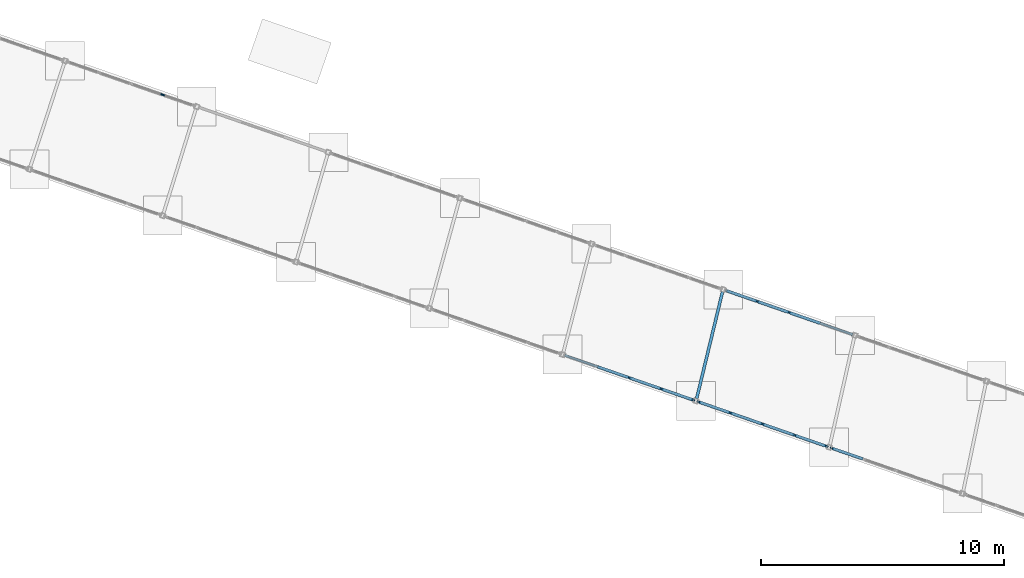
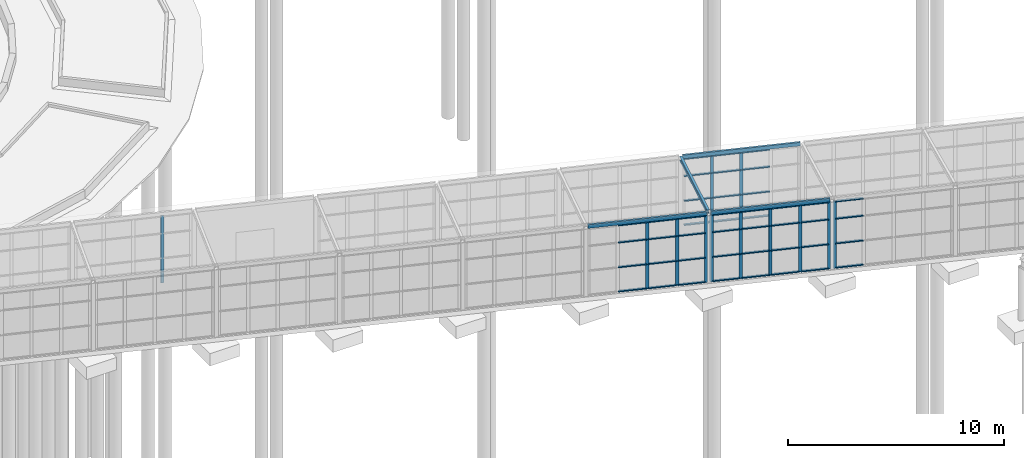
# One storey, part 55 of 226: 56 members, 4 beams, 5 elements without a shape of their own.
"""IFC4 building model written with IfcOpenShell, lengths in metres."""

from ifc_helpers import new_model, si_unit, direction, frame, origin, origin_2d, place, context, subcontext, project, spatial, rectangle, hollow_rectangle, i_section, extrude, material, material_profile, profile_set, type_object, element, aggregate, save


model = new_model("IFC4")

# Units and contexts
model_context = context("Model", 3, precision=1e-05, world=origin(), true_north=direction((0.0, 1.0)))
body_context = subcontext(model_context, "Body", "Model", "MODEL_VIEW")
ifc_project = project(units=[si_unit("LENGTHUNIT", "METRE"), si_unit("AREAUNIT", "SQUARE_METRE"), si_unit("VOLUMEUNIT", "CUBIC_METRE"), si_unit("PLANEANGLEUNIT", "RADIAN"), si_unit("MASSUNIT", "GRAM", prefix="KILO")], contexts=[model_context])

# Site, building, storey
site_placement = place(None, origin())
site = spatial("IfcSite", under=ifc_project, at=site_placement, CompositionType="ELEMENT")
building_placement = place(site_placement, origin())
building = spatial("IfcBuilding", under=site, at=building_placement, Name="Ceibo Conservatory and Research Tower", CompositionType="ELEMENT")
storey_placement = place(building_placement, origin())
storey = spatial("IfcBuildingStorey", under=building, at=storey_placement, Name="L00", CompositionType="ELEMENT", Elevation=0.0)

# Curtain wall, member
ifc_material_1 = material(Name="Aluminium and glass", Category="aluminium")
curtain_wall_type = type_object("IfcCurtainWallType", Name="Gallery curtain wall", PredefinedType="NOTDEFINED", material=ifc_material_1)
curtain_wall_1_placement = place(storey_placement, origin())
curtain_wall_1 = element("IfcCurtainWall", 1, at=curtain_wall_1_placement, inside=storey, type_object=curtain_wall_type, Name="Gallery curtain wall AUD-VC-CWN07", PredefinedType="NOTDEFINED")
ifc_material_2 = material(Name="Aluminium", Category="aluminium")
ifc_material_profile_1 = material_profile(ifc_material_2, rectangle(XDim=0.06005859375, YDim=0.159912109375, at=origin_2d()), Name="AL 60x160")
ifc_profile_set_1 = profile_set([ifc_material_profile_1], Name="Aluminium")
member_type_1 = type_object("IfcMemberType", Name="Gallery mullion 60x160", PredefinedType="MULLION", material=ifc_profile_set_1)
member_1_placement = place(storey_placement, frame((103.161376953125, 57.304931640625, 0.0), z_axis=(0.0, 0.0, 1.0), x_axis=(0.328283515513, 0.944579236191, 0.0)))
member_1 = element("IfcMember", 2, at=member_1_placement, type_object=member_type_1, Name="AUD-VC-CWN07 mullion 4", PredefinedType="MULLION", context=body_context, shape_type="SweptSolid", body=[
    extrude(rectangle(XDim=0.06005859375, YDim=0.159912109375, at=origin_2d()), origin(), (0.0, 0.0, 1.0), 3.800048828125),
])
aggregate(curtain_wall_1, [member_1])

# Curtain wall, members
curtain_wall_2_placement = place(storey_placement, origin())
curtain_wall_2 = element("IfcCurtainWall", 3, at=curtain_wall_2_placement, inside=storey, type_object=curtain_wall_type, Name="Gallery curtain wall AUD-VC-CWN12", PredefinedType="NOTDEFINED")
member_2_placement = place(storey_placement, frame((127.6484375, 48.79443359375, 0.0), z_axis=(0.0, 0.0, 1.0), x_axis=(0.328283515513, 0.944579236191, 0.0)))
member_2 = element("IfcMember", 4, at=member_2_placement, type_object=member_type_1, Name="AUD-VC-CWN12 mullion 2", PredefinedType="MULLION", context=body_context, shape_type="SweptSolid", body=[
    extrude(rectangle(XDim=0.06005859375, YDim=0.159912109375, at=origin_2d()), origin(), (0.0, 0.0, 1.0), 3.800048828125),
])
member_3_placement = place(storey_placement, frame((128.956298828125, 48.33984375, 0.0), z_axis=(0.0, 0.0, 1.0), x_axis=(0.328283515513, 0.944579236191, 0.0)))
member_3 = element("IfcMember", 5, at=member_3_placement, type_object=member_type_1, Name="AUD-VC-CWN12 mullion 3", PredefinedType="MULLION", context=body_context, shape_type="SweptSolid", body=[
    extrude(rectangle(XDim=0.06005859375, YDim=0.159912109375, at=origin_2d()), origin(), (0.0, 0.0, 1.0), 3.800048828125),
])

curtain_wall_3_placement = place(storey_placement, origin())
curtain_wall_3 = element("IfcCurtainWall", 6, at=curtain_wall_3_placement, inside=storey, type_object=curtain_wall_type, Name="Gallery curtain wall AUD-VC-CWS11", PredefinedType="NOTDEFINED")
member_4_placement = place(storey_placement, frame((122.373046875, 45.652099609375, 0.0), z_axis=(0.0, 0.0, 1.0), x_axis=(0.328283515513, 0.944579236191, 0.0)))
member_4 = element("IfcMember", 7, at=member_4_placement, type_object=member_type_1, Name="AUD-VC-CWS11 mullion 3", PredefinedType="MULLION", context=body_context, shape_type="SweptSolid", body=[
    extrude(rectangle(XDim=0.06005859375, YDim=0.159912109375, at=origin_2d()), origin(), (0.0, 0.0, 1.0), 3.800048828125),
])
member_5_placement = place(storey_placement, frame((123.697998046875, 45.191650390625, 0.0), z_axis=(0.0, 0.0, 1.0), x_axis=(0.328283515513, 0.944579236191, 0.0)))
member_5 = element("IfcMember", 8, at=member_5_placement, type_object=member_type_1, Name="AUD-VC-CWS11 mullion 4", PredefinedType="MULLION", context=body_context, shape_type="SweptSolid", body=[
    extrude(rectangle(XDim=0.06005859375, YDim=0.159912109375, at=origin_2d()), origin(), (0.0, 0.0, 1.0), 3.800048828125),
])
member_6_placement = place(storey_placement, frame((124.994384765625, 44.7412109375, 0.0), z_axis=(0.0, 0.0, 1.0), x_axis=(0.328283515513, 0.944579236191, 0.0)))
member_6 = element("IfcMember", 9, at=member_6_placement, type_object=member_type_1, Name="AUD-VC-CWS11 mullion 5", PredefinedType="MULLION", context=body_context, shape_type="SweptSolid", body=[
    extrude(rectangle(XDim=0.06005859375, YDim=0.159912109375, at=origin_2d()), origin(), (0.0, 0.0, 1.0), 3.800048828125),
])

curtain_wall_4_placement = place(storey_placement, origin())
curtain_wall_4 = element("IfcCurtainWall", 10, at=curtain_wall_4_placement, inside=storey, type_object=curtain_wall_type, Name="Gallery curtain wall AUD-VC-CWS12", PredefinedType="NOTDEFINED")
member_7_placement = place(storey_placement, frame((125.239990234375, 44.65576171875, 0.0), z_axis=(0.0, 0.0, 1.0), x_axis=(0.328283515513, 0.944579236191, 0.0)))
member_7 = element("IfcMember", 11, at=member_7_placement, type_object=member_type_1, Name="AUD-VC-CWS12 mullion 1", PredefinedType="MULLION", context=body_context, shape_type="SweptSolid", body=[
    extrude(rectangle(XDim=0.06005859375, YDim=0.159912109375, at=origin_2d()), origin(), (0.0, 0.0, 1.0), 3.800048828125),
])
member_8_placement = place(storey_placement, frame((126.53662109375, 44.205078125, 0.0), z_axis=(0.0, 0.0, 1.0), x_axis=(0.328283515513, 0.944579236191, 0.0)))
member_8 = element("IfcMember", 12, at=member_8_placement, type_object=member_type_1, Name="AUD-VC-CWS12 mullion 2", PredefinedType="MULLION", context=body_context, shape_type="SweptSolid", body=[
    extrude(rectangle(XDim=0.06005859375, YDim=0.159912109375, at=origin_2d()), origin(), (0.0, 0.0, 1.0), 3.800048828125),
])
member_9_placement = place(storey_placement, frame((127.861328125, 43.74462890625, 0.0), z_axis=(0.0, 0.0, 1.0), x_axis=(0.328283515513, 0.944579236191, 0.0)))
member_9 = element("IfcMember", 13, at=member_9_placement, type_object=member_type_1, Name="AUD-VC-CWS12 mullion 3", PredefinedType="MULLION", context=body_context, shape_type="SweptSolid", body=[
    extrude(rectangle(XDim=0.06005859375, YDim=0.159912109375, at=origin_2d()), origin(), (0.0, 0.0, 1.0), 3.800048828125),
])
member_10_placement = place(storey_placement, frame((129.186279296875, 43.2841796875, 0.0), z_axis=(0.0, 0.0, 1.0), x_axis=(0.328283515513, 0.944579236191, 0.0)))
member_10 = element("IfcMember", 14, at=member_10_placement, type_object=member_type_1, Name="AUD-VC-CWS12 mullion 4", PredefinedType="MULLION", context=body_context, shape_type="SweptSolid", body=[
    extrude(rectangle(XDim=0.06005859375, YDim=0.159912109375, at=origin_2d()), origin(), (0.0, 0.0, 1.0), 3.800048828125),
])
member_11_placement = place(storey_placement, frame((130.482666015625, 42.833740234375, 0.0), z_axis=(0.0, 0.0, 1.0), x_axis=(0.328283515513, 0.944579236191, 0.0)))
member_11 = element("IfcMember", 15, at=member_11_placement, type_object=member_type_1, Name="AUD-VC-CWS12 mullion 5", PredefinedType="MULLION", context=body_context, shape_type="SweptSolid", body=[
    extrude(rectangle(XDim=0.06005859375, YDim=0.159912109375, at=origin_2d()), origin(), (0.0, 0.0, 1.0), 3.800048828125),
])

# Curtain wall, member
curtain_wall_5_placement = place(storey_placement, origin())
curtain_wall_5 = element("IfcCurtainWall", 16, at=curtain_wall_5_placement, inside=storey, type_object=curtain_wall_type, Name="Gallery curtain wall AUD-VC-CWS13", PredefinedType="NOTDEFINED")
member_12_placement = place(storey_placement, frame((130.728271484375, 42.748291015625, 0.0), z_axis=(0.0, 0.0, 1.0), x_axis=(0.328283515513, 0.944579236191, 0.0)))
member_12 = element("IfcMember", 17, at=member_12_placement, type_object=member_type_1, Name="AUD-VC-CWS13 mullion 1", PredefinedType="MULLION", context=body_context, shape_type="SweptSolid", body=[
    extrude(rectangle(XDim=0.06005859375, YDim=0.159912109375, at=origin_2d()), origin(), (0.0, 0.0, 1.0), 3.800048828125),
])

# Member
ifc_material_profile_2 = material_profile(ifc_material_2, rectangle(XDim=0.1201171875, YDim=0.06005859375, at=origin_2d()), Name="AL 60x120")
ifc_profile_set_2 = profile_set([ifc_material_profile_2], Name="Aluminium")
member_type_2 = type_object("IfcMemberType", Name="Gallery transom 60x120", PredefinedType="USERDEFINED", material=ifc_profile_set_2)
member_13_placement = place(storey_placement, frame((126.397216796875, 49.229248046875, 0.030029296875), z_axis=(0.944629016784, -0.328140245399, 0.0), x_axis=(0.328140245399, 0.944629016784, 0.0)))
member_13 = element("IfcMember", 18, at=member_13_placement, type_object=member_type_2, Name="AUD-VC-CWN12 transom 1.1", ObjectType="TRANSOM", PredefinedType="USERDEFINED", context=body_context, shape_type="SweptSolid", body=[
    extrude(rectangle(XDim=0.1201171875, YDim=0.06005859375, at=origin_2d()), origin(), (0.0, 0.0, 1.0), 1.294677734375),
])

member_14_placement = place(storey_placement, frame((126.397216796875, 49.229248046875, 1.39990234375), z_axis=(0.944629016784, -0.328140245399, 0.0), x_axis=(0.328140245399, 0.944629016784, 0.0)))
member_14 = element("IfcMember", 19, at=member_14_placement, type_object=member_type_2, Name="AUD-VC-CWN12 transom 1.2", ObjectType="TRANSOM", PredefinedType="USERDEFINED", context=body_context, shape_type="SweptSolid", body=[
    extrude(rectangle(XDim=0.1201171875, YDim=0.06005859375, at=origin_2d()), origin(), (0.0, 0.0, 1.0), 1.294677734375),
])

member_15_placement = place(storey_placement, frame((126.397216796875, 49.229248046875, 2.800048828125), z_axis=(0.944629016784, -0.328140245399, 0.0), x_axis=(0.328140245399, 0.944629016784, 0.0)))
member_15 = element("IfcMember", 20, at=member_15_placement, type_object=member_type_2, Name="AUD-VC-CWN12 transom 1.3", ObjectType="TRANSOM", PredefinedType="USERDEFINED", context=body_context, shape_type="SweptSolid", body=[
    extrude(rectangle(XDim=0.1201171875, YDim=0.06005859375, at=origin_2d()), origin(), (0.0, 0.0, 1.0), 1.294677734375),
])

member_16_placement = place(storey_placement, frame((126.397216796875, 49.229248046875, 3.77001953125), z_axis=(0.944629016784, -0.328140245399, 0.0), x_axis=(0.328140245399, 0.944629016784, 0.0)))
member_16 = element("IfcMember", 21, at=member_16_placement, type_object=member_type_2, Name="AUD-VC-CWN12 transom 1.4", ObjectType="TRANSOM", PredefinedType="USERDEFINED", context=body_context, shape_type="SweptSolid", body=[
    extrude(rectangle(XDim=0.1201171875, YDim=0.06005859375, at=origin_2d()), origin(), (0.0, 0.0, 1.0), 1.294677734375),
])

member_17_placement = place(storey_placement, frame((127.6767578125, 48.78466796875, 0.030029296875), z_axis=(0.944588759267, -0.32825611322, 0.0), x_axis=(0.32825611322, 0.944588759267, 0.0)))
member_17 = element("IfcMember", 22, at=member_17_placement, type_object=member_type_2, Name="AUD-VC-CWN12 transom 2.1", ObjectType="TRANSOM", PredefinedType="USERDEFINED", context=body_context, shape_type="SweptSolid", body=[
    extrude(rectangle(XDim=0.1201171875, YDim=0.06005859375, at=origin_2d()), origin(), (0.0, 0.0, 1.0), 1.32470703125),
])

member_18_placement = place(storey_placement, frame((127.6767578125, 48.78466796875, 1.39990234375), z_axis=(0.944588759267, -0.32825611322, 0.0), x_axis=(0.32825611322, 0.944588759267, 0.0)))
member_18 = element("IfcMember", 23, at=member_18_placement, type_object=member_type_2, Name="AUD-VC-CWN12 transom 2.2", ObjectType="TRANSOM", PredefinedType="USERDEFINED", context=body_context, shape_type="SweptSolid", body=[
    extrude(rectangle(XDim=0.1201171875, YDim=0.06005859375, at=origin_2d()), origin(), (0.0, 0.0, 1.0), 1.32470703125),
])

member_19_placement = place(storey_placement, frame((127.6767578125, 48.78466796875, 2.800048828125), z_axis=(0.944588759267, -0.32825611322, 0.0), x_axis=(0.32825611322, 0.944588759267, 0.0)))
member_19 = element("IfcMember", 24, at=member_19_placement, type_object=member_type_2, Name="AUD-VC-CWN12 transom 2.3", ObjectType="TRANSOM", PredefinedType="USERDEFINED", context=body_context, shape_type="SweptSolid", body=[
    extrude(rectangle(XDim=0.1201171875, YDim=0.06005859375, at=origin_2d()), origin(), (0.0, 0.0, 1.0), 1.32470703125),
])

member_20_placement = place(storey_placement, frame((127.6767578125, 48.78466796875, 3.77001953125), z_axis=(0.944588759267, -0.32825611322, 0.0), x_axis=(0.32825611322, 0.944588759267, 0.0)))
member_20 = element("IfcMember", 25, at=member_20_placement, type_object=member_type_2, Name="AUD-VC-CWN12 transom 2.4", ObjectType="TRANSOM", PredefinedType="USERDEFINED", context=body_context, shape_type="SweptSolid", body=[
    extrude(rectangle(XDim=0.1201171875, YDim=0.06005859375, at=origin_2d()), origin(), (0.0, 0.0, 1.0), 1.32470703125),
])

member_21_placement = place(storey_placement, frame((128.984619140625, 48.330078125, 0.030029296875), z_axis=(0.944588759267, -0.32825611322, 0.0), x_axis=(0.32825611322, 0.944588759267, 0.0)))
member_21 = element("IfcMember", 26, at=member_21_placement, type_object=member_type_2, Name="AUD-VC-CWN12 transom 3.1", ObjectType="TRANSOM", PredefinedType="USERDEFINED", context=body_context, shape_type="SweptSolid", body=[
    extrude(rectangle(XDim=0.1201171875, YDim=0.06005859375, at=origin_2d()), origin(), (0.0, 0.0, 1.0), 1.32470703125),
])

member_22_placement = place(storey_placement, frame((128.984619140625, 48.330078125, 1.39990234375), z_axis=(0.944588759267, -0.32825611322, 0.0), x_axis=(0.32825611322, 0.944588759267, 0.0)))
member_22 = element("IfcMember", 27, at=member_22_placement, type_object=member_type_2, Name="AUD-VC-CWN12 transom 3.2", ObjectType="TRANSOM", PredefinedType="USERDEFINED", context=body_context, shape_type="SweptSolid", body=[
    extrude(rectangle(XDim=0.1201171875, YDim=0.06005859375, at=origin_2d()), origin(), (0.0, 0.0, 1.0), 1.32470703125),
])

member_23_placement = place(storey_placement, frame((128.984619140625, 48.330078125, 2.800048828125), z_axis=(0.944588759267, -0.32825611322, 0.0), x_axis=(0.32825611322, 0.944588759267, 0.0)))
member_23 = element("IfcMember", 28, at=member_23_placement, type_object=member_type_2, Name="AUD-VC-CWN12 transom 3.3", ObjectType="TRANSOM", PredefinedType="USERDEFINED", context=body_context, shape_type="SweptSolid", body=[
    extrude(rectangle(XDim=0.1201171875, YDim=0.06005859375, at=origin_2d()), origin(), (0.0, 0.0, 1.0), 1.32470703125),
])

member_24_placement = place(storey_placement, frame((128.984619140625, 48.330078125, 3.77001953125), z_axis=(0.944588759267, -0.32825611322, 0.0), x_axis=(0.32825611322, 0.944588759267, 0.0)))
member_24 = element("IfcMember", 29, at=member_24_placement, type_object=member_type_2, Name="AUD-VC-CWN12 transom 3.4", ObjectType="TRANSOM", PredefinedType="USERDEFINED", context=body_context, shape_type="SweptSolid", body=[
    extrude(rectangle(XDim=0.1201171875, YDim=0.06005859375, at=origin_2d()), origin(), (0.0, 0.0, 1.0), 1.32470703125),
])

aggregate(curtain_wall_2, [member_2, member_3, member_13, member_14, member_15, member_16, member_17, member_18, member_19, member_20, member_21, member_22, member_23, member_24])

member_25_placement = place(storey_placement, frame((121.07666015625, 46.102783203125, 0.030029296875), z_axis=(0.944587537953, -0.328259627648, 0.0), x_axis=(0.328259627648, 0.944587537953, 0.0)))
member_25 = element("IfcMember", 30, at=member_25_placement, type_object=member_type_2, Name="AUD-VC-CWS11 transom 2.1", ObjectType="TRANSOM", PredefinedType="USERDEFINED", context=body_context, shape_type="SweptSolid", body=[
    extrude(rectangle(XDim=0.1201171875, YDim=0.06005859375, at=origin_2d()), origin(), (0.0, 0.0, 1.0), 1.342529296875),
])

member_26_placement = place(storey_placement, frame((121.07666015625, 46.102783203125, 1.39990234375), z_axis=(0.944587537953, -0.328259627648, 0.0), x_axis=(0.328259627648, 0.944587537953, 0.0)))
member_26 = element("IfcMember", 31, at=member_26_placement, type_object=member_type_2, Name="AUD-VC-CWS11 transom 2.2", ObjectType="TRANSOM", PredefinedType="USERDEFINED", context=body_context, shape_type="SweptSolid", body=[
    extrude(rectangle(XDim=0.1201171875, YDim=0.06005859375, at=origin_2d()), origin(), (0.0, 0.0, 1.0), 1.342529296875),
])

member_27_placement = place(storey_placement, frame((121.07666015625, 46.102783203125, 2.800048828125), z_axis=(0.944587537953, -0.328259627648, 0.0), x_axis=(0.328259627648, 0.944587537953, 0.0)))
member_27 = element("IfcMember", 32, at=member_27_placement, type_object=member_type_2, Name="AUD-VC-CWS11 transom 2.3", ObjectType="TRANSOM", PredefinedType="USERDEFINED", context=body_context, shape_type="SweptSolid", body=[
    extrude(rectangle(XDim=0.1201171875, YDim=0.06005859375, at=origin_2d()), origin(), (0.0, 0.0, 1.0), 1.342529296875),
])

member_28_placement = place(storey_placement, frame((121.07666015625, 46.102783203125, 3.77001953125), z_axis=(0.944587537953, -0.328259627648, 0.0), x_axis=(0.328259627648, 0.944587537953, 0.0)))
member_28 = element("IfcMember", 33, at=member_28_placement, type_object=member_type_2, Name="AUD-VC-CWS11 transom 2.4", ObjectType="TRANSOM", PredefinedType="USERDEFINED", context=body_context, shape_type="SweptSolid", body=[
    extrude(rectangle(XDim=0.1201171875, YDim=0.06005859375, at=origin_2d()), origin(), (0.0, 0.0, 1.0), 1.342529296875),
])

member_29_placement = place(storey_placement, frame((122.4013671875, 45.642333984375, 0.030029296875), z_axis=(0.944607129256, -0.328203247027, 0.0), x_axis=(0.328203247027, 0.944607129256, 0.0)))
member_29 = element("IfcMember", 34, at=member_29_placement, type_object=member_type_2, Name="AUD-VC-CWS11 transom 3.1", ObjectType="TRANSOM", PredefinedType="USERDEFINED", context=body_context, shape_type="SweptSolid", body=[
    extrude(rectangle(XDim=0.1201171875, YDim=0.06005859375, at=origin_2d()), origin(), (0.0, 0.0, 1.0), 1.3427734375),
])

member_30_placement = place(storey_placement, frame((122.4013671875, 45.642333984375, 1.39990234375), z_axis=(0.944607129256, -0.328203247027, 0.0), x_axis=(0.328203247027, 0.944607129256, 0.0)))
member_30 = element("IfcMember", 35, at=member_30_placement, type_object=member_type_2, Name="AUD-VC-CWS11 transom 3.2", ObjectType="TRANSOM", PredefinedType="USERDEFINED", context=body_context, shape_type="SweptSolid", body=[
    extrude(rectangle(XDim=0.1201171875, YDim=0.06005859375, at=origin_2d()), origin(), (0.0, 0.0, 1.0), 1.3427734375),
])

member_31_placement = place(storey_placement, frame((122.4013671875, 45.642333984375, 2.800048828125), z_axis=(0.944607129256, -0.328203247027, 0.0), x_axis=(0.328203247027, 0.944607129256, 0.0)))
member_31 = element("IfcMember", 36, at=member_31_placement, type_object=member_type_2, Name="AUD-VC-CWS11 transom 3.3", ObjectType="TRANSOM", PredefinedType="USERDEFINED", context=body_context, shape_type="SweptSolid", body=[
    extrude(rectangle(XDim=0.1201171875, YDim=0.06005859375, at=origin_2d()), origin(), (0.0, 0.0, 1.0), 1.3427734375),
])

member_32_placement = place(storey_placement, frame((122.4013671875, 45.642333984375, 3.77001953125), z_axis=(0.944607129256, -0.328203247027, 0.0), x_axis=(0.328203247027, 0.944607129256, 0.0)))
member_32 = element("IfcMember", 37, at=member_32_placement, type_object=member_type_2, Name="AUD-VC-CWS11 transom 3.4", ObjectType="TRANSOM", PredefinedType="USERDEFINED", context=body_context, shape_type="SweptSolid", body=[
    extrude(rectangle(XDim=0.1201171875, YDim=0.06005859375, at=origin_2d()), origin(), (0.0, 0.0, 1.0), 1.3427734375),
])

member_33_placement = place(storey_placement, frame((123.726318359375, 45.181884765625, 0.030029296875), z_axis=(0.944569547246, -0.328311392455, 0.0), x_axis=(0.328311392455, 0.944569547246, 0.0)))
member_33 = element("IfcMember", 38, at=member_33_placement, type_object=member_type_2, Name="AUD-VC-CWS11 transom 4.1", ObjectType="TRANSOM", PredefinedType="USERDEFINED", context=body_context, shape_type="SweptSolid", body=[
    extrude(rectangle(XDim=0.1201171875, YDim=0.06005859375, at=origin_2d()), origin(), (0.0, 0.0, 1.0), 1.3125),
])

member_34_placement = place(storey_placement, frame((123.726318359375, 45.181884765625, 1.39990234375), z_axis=(0.944569547246, -0.328311392455, 0.0), x_axis=(0.328311392455, 0.944569547246, 0.0)))
member_34 = element("IfcMember", 39, at=member_34_placement, type_object=member_type_2, Name="AUD-VC-CWS11 transom 4.2", ObjectType="TRANSOM", PredefinedType="USERDEFINED", context=body_context, shape_type="SweptSolid", body=[
    extrude(rectangle(XDim=0.1201171875, YDim=0.06005859375, at=origin_2d()), origin(), (0.0, 0.0, 1.0), 1.3125),
])

member_35_placement = place(storey_placement, frame((123.726318359375, 45.181884765625, 2.800048828125), z_axis=(0.944569547246, -0.328311392455, 0.0), x_axis=(0.328311392455, 0.944569547246, 0.0)))
member_35 = element("IfcMember", 40, at=member_35_placement, type_object=member_type_2, Name="AUD-VC-CWS11 transom 4.3", ObjectType="TRANSOM", PredefinedType="USERDEFINED", context=body_context, shape_type="SweptSolid", body=[
    extrude(rectangle(XDim=0.1201171875, YDim=0.06005859375, at=origin_2d()), origin(), (0.0, 0.0, 1.0), 1.3125),
])

member_36_placement = place(storey_placement, frame((123.726318359375, 45.181884765625, 3.77001953125), z_axis=(0.944569547246, -0.328311392455, 0.0), x_axis=(0.328311392455, 0.944569547246, 0.0)))
member_36 = element("IfcMember", 41, at=member_36_placement, type_object=member_type_2, Name="AUD-VC-CWS11 transom 4.4", ObjectType="TRANSOM", PredefinedType="USERDEFINED", context=body_context, shape_type="SweptSolid", body=[
    extrude(rectangle(XDim=0.1201171875, YDim=0.06005859375, at=origin_2d()), origin(), (0.0, 0.0, 1.0), 1.3125),
])

aggregate(curtain_wall_3, [member_4, member_5, member_6, member_25, member_26, member_27, member_28, member_29, member_30, member_31, member_32, member_33, member_34, member_35, member_36])

member_37_placement = place(storey_placement, frame((125.268310546875, 44.64599609375, 0.030029296875), z_axis=(0.944589591906, -0.328253717211, 0.0), x_axis=(0.328253717211, 0.944589591906, 0.0)))
member_37 = element("IfcMember", 42, at=member_37_placement, type_object=member_type_2, Name="AUD-VC-CWS12 transom 1.1", ObjectType="TRANSOM", PredefinedType="USERDEFINED", context=body_context, shape_type="SweptSolid", body=[
    extrude(rectangle(XDim=0.1201171875, YDim=0.06005859375, at=origin_2d()), origin(), (0.0, 0.0, 1.0), 1.312744140625),
])

member_38_placement = place(storey_placement, frame((125.268310546875, 44.64599609375, 1.39990234375), z_axis=(0.944589591906, -0.328253717211, 0.0), x_axis=(0.328253717211, 0.944589591906, 0.0)))
member_38 = element("IfcMember", 43, at=member_38_placement, type_object=member_type_2, Name="AUD-VC-CWS12 transom 1.2", ObjectType="TRANSOM", PredefinedType="USERDEFINED", context=body_context, shape_type="SweptSolid", body=[
    extrude(rectangle(XDim=0.1201171875, YDim=0.06005859375, at=origin_2d()), origin(), (0.0, 0.0, 1.0), 1.312744140625),
])

member_39_placement = place(storey_placement, frame((125.268310546875, 44.64599609375, 2.800048828125), z_axis=(0.944589591906, -0.328253717211, 0.0), x_axis=(0.328253717211, 0.944589591906, 0.0)))
member_39 = element("IfcMember", 44, at=member_39_placement, type_object=member_type_2, Name="AUD-VC-CWS12 transom 1.3", ObjectType="TRANSOM", PredefinedType="USERDEFINED", context=body_context, shape_type="SweptSolid", body=[
    extrude(rectangle(XDim=0.1201171875, YDim=0.06005859375, at=origin_2d()), origin(), (0.0, 0.0, 1.0), 1.312744140625),
])

member_40_placement = place(storey_placement, frame((125.268310546875, 44.64599609375, 3.77001953125), z_axis=(0.944589591906, -0.328253717211, 0.0), x_axis=(0.328253717211, 0.944589591906, 0.0)))
member_40 = element("IfcMember", 45, at=member_40_placement, type_object=member_type_2, Name="AUD-VC-CWS12 transom 1.4", ObjectType="TRANSOM", PredefinedType="USERDEFINED", context=body_context, shape_type="SweptSolid", body=[
    extrude(rectangle(XDim=0.1201171875, YDim=0.06005859375, at=origin_2d()), origin(), (0.0, 0.0, 1.0), 1.312744140625),
])

member_41_placement = place(storey_placement, frame((126.56494140625, 44.1953125, 0.030029296875), z_axis=(0.944587537953, -0.328259627648, 0.0), x_axis=(0.328259627648, 0.944587537953, 0.0)))
member_41 = element("IfcMember", 46, at=member_41_placement, type_object=member_type_2, Name="AUD-VC-CWS12 transom 2.1", ObjectType="TRANSOM", PredefinedType="USERDEFINED", context=body_context, shape_type="SweptSolid", body=[
    extrude(rectangle(XDim=0.1201171875, YDim=0.06005859375, at=origin_2d()), origin(), (0.0, 0.0, 1.0), 1.342529296875),
])

member_42_placement = place(storey_placement, frame((126.56494140625, 44.1953125, 1.39990234375), z_axis=(0.944587537953, -0.328259627648, 0.0), x_axis=(0.328259627648, 0.944587537953, 0.0)))
member_42 = element("IfcMember", 47, at=member_42_placement, type_object=member_type_2, Name="AUD-VC-CWS12 transom 2.2", ObjectType="TRANSOM", PredefinedType="USERDEFINED", context=body_context, shape_type="SweptSolid", body=[
    extrude(rectangle(XDim=0.1201171875, YDim=0.06005859375, at=origin_2d()), origin(), (0.0, 0.0, 1.0), 1.342529296875),
])

member_43_placement = place(storey_placement, frame((126.56494140625, 44.1953125, 2.800048828125), z_axis=(0.944587537953, -0.328259627648, 0.0), x_axis=(0.328259627648, 0.944587537953, 0.0)))
member_43 = element("IfcMember", 48, at=member_43_placement, type_object=member_type_2, Name="AUD-VC-CWS12 transom 2.3", ObjectType="TRANSOM", PredefinedType="USERDEFINED", context=body_context, shape_type="SweptSolid", body=[
    extrude(rectangle(XDim=0.1201171875, YDim=0.06005859375, at=origin_2d()), origin(), (0.0, 0.0, 1.0), 1.342529296875),
])

member_44_placement = place(storey_placement, frame((126.56494140625, 44.1953125, 3.77001953125), z_axis=(0.944587537953, -0.328259627648, 0.0), x_axis=(0.328259627648, 0.944587537953, 0.0)))
member_44 = element("IfcMember", 49, at=member_44_placement, type_object=member_type_2, Name="AUD-VC-CWS12 transom 2.4", ObjectType="TRANSOM", PredefinedType="USERDEFINED", context=body_context, shape_type="SweptSolid", body=[
    extrude(rectangle(XDim=0.1201171875, YDim=0.06005859375, at=origin_2d()), origin(), (0.0, 0.0, 1.0), 1.342529296875),
])

member_45_placement = place(storey_placement, frame((127.8896484375, 43.73486328125, 0.030029296875), z_axis=(0.944607129256, -0.328203247027, 0.0), x_axis=(0.328203247027, 0.944607129256, 0.0)))
member_45 = element("IfcMember", 50, at=member_45_placement, type_object=member_type_2, Name="AUD-VC-CWS12 transom 3.1", ObjectType="TRANSOM", PredefinedType="USERDEFINED", context=body_context, shape_type="SweptSolid", body=[
    extrude(rectangle(XDim=0.1201171875, YDim=0.06005859375, at=origin_2d()), origin(), (0.0, 0.0, 1.0), 1.3427734375),
])

member_46_placement = place(storey_placement, frame((127.8896484375, 43.73486328125, 1.39990234375), z_axis=(0.944607129256, -0.328203247027, 0.0), x_axis=(0.328203247027, 0.944607129256, 0.0)))
member_46 = element("IfcMember", 51, at=member_46_placement, type_object=member_type_2, Name="AUD-VC-CWS12 transom 3.2", ObjectType="TRANSOM", PredefinedType="USERDEFINED", context=body_context, shape_type="SweptSolid", body=[
    extrude(rectangle(XDim=0.1201171875, YDim=0.06005859375, at=origin_2d()), origin(), (0.0, 0.0, 1.0), 1.3427734375),
])

member_47_placement = place(storey_placement, frame((127.8896484375, 43.73486328125, 2.800048828125), z_axis=(0.944607129256, -0.328203247027, 0.0), x_axis=(0.328203247027, 0.944607129256, 0.0)))
member_47 = element("IfcMember", 52, at=member_47_placement, type_object=member_type_2, Name="AUD-VC-CWS12 transom 3.3", ObjectType="TRANSOM", PredefinedType="USERDEFINED", context=body_context, shape_type="SweptSolid", body=[
    extrude(rectangle(XDim=0.1201171875, YDim=0.06005859375, at=origin_2d()), origin(), (0.0, 0.0, 1.0), 1.3427734375),
])

member_48_placement = place(storey_placement, frame((127.8896484375, 43.73486328125, 3.77001953125), z_axis=(0.944607129256, -0.328203247027, 0.0), x_axis=(0.328203247027, 0.944607129256, 0.0)))
member_48 = element("IfcMember", 53, at=member_48_placement, type_object=member_type_2, Name="AUD-VC-CWS12 transom 3.4", ObjectType="TRANSOM", PredefinedType="USERDEFINED", context=body_context, shape_type="SweptSolid", body=[
    extrude(rectangle(XDim=0.1201171875, YDim=0.06005859375, at=origin_2d()), origin(), (0.0, 0.0, 1.0), 1.3427734375),
])

member_49_placement = place(storey_placement, frame((129.214599609375, 43.2744140625, 0.030029296875), z_axis=(0.944569547246, -0.328311392455, 0.0), x_axis=(0.328311392455, 0.944569547246, 0.0)))
member_49 = element("IfcMember", 54, at=member_49_placement, type_object=member_type_2, Name="AUD-VC-CWS12 transom 4.1", ObjectType="TRANSOM", PredefinedType="USERDEFINED", context=body_context, shape_type="SweptSolid", body=[
    extrude(rectangle(XDim=0.1201171875, YDim=0.06005859375, at=origin_2d()), origin(), (0.0, 0.0, 1.0), 1.3125),
])

member_50_placement = place(storey_placement, frame((129.214599609375, 43.2744140625, 1.39990234375), z_axis=(0.944569547246, -0.328311392455, 0.0), x_axis=(0.328311392455, 0.944569547246, 0.0)))
member_50 = element("IfcMember", 55, at=member_50_placement, type_object=member_type_2, Name="AUD-VC-CWS12 transom 4.2", ObjectType="TRANSOM", PredefinedType="USERDEFINED", context=body_context, shape_type="SweptSolid", body=[
    extrude(rectangle(XDim=0.1201171875, YDim=0.06005859375, at=origin_2d()), origin(), (0.0, 0.0, 1.0), 1.3125),
])

member_51_placement = place(storey_placement, frame((129.214599609375, 43.2744140625, 2.800048828125), z_axis=(0.944569547246, -0.328311392455, 0.0), x_axis=(0.328311392455, 0.944569547246, 0.0)))
member_51 = element("IfcMember", 56, at=member_51_placement, type_object=member_type_2, Name="AUD-VC-CWS12 transom 4.3", ObjectType="TRANSOM", PredefinedType="USERDEFINED", context=body_context, shape_type="SweptSolid", body=[
    extrude(rectangle(XDim=0.1201171875, YDim=0.06005859375, at=origin_2d()), origin(), (0.0, 0.0, 1.0), 1.3125),
])

member_52_placement = place(storey_placement, frame((129.214599609375, 43.2744140625, 3.77001953125), z_axis=(0.944569547246, -0.328311392455, 0.0), x_axis=(0.328311392455, 0.944569547246, 0.0)))
member_52 = element("IfcMember", 57, at=member_52_placement, type_object=member_type_2, Name="AUD-VC-CWS12 transom 4.4", ObjectType="TRANSOM", PredefinedType="USERDEFINED", context=body_context, shape_type="SweptSolid", body=[
    extrude(rectangle(XDim=0.1201171875, YDim=0.06005859375, at=origin_2d()), origin(), (0.0, 0.0, 1.0), 1.3125),
])

aggregate(curtain_wall_4, [member_7, member_8, member_9, member_10, member_11, member_37, member_38, member_39, member_40, member_41, member_42, member_43, member_44, member_45, member_46, member_47, member_48, member_49, member_50, member_51, member_52])

member_53_placement = place(storey_placement, frame((130.756591796875, 42.738525390625, 0.030029296875), z_axis=(0.944589591906, -0.328253717211, 0.0), x_axis=(0.328253717211, 0.944589591906, 0.0)))
member_53 = element("IfcMember", 58, at=member_53_placement, type_object=member_type_2, Name="AUD-VC-CWS13 transom 1.1", ObjectType="TRANSOM", PredefinedType="USERDEFINED", context=body_context, shape_type="SweptSolid", body=[
    extrude(rectangle(XDim=0.1201171875, YDim=0.06005859375, at=origin_2d()), origin(), (0.0, 0.0, 1.0), 1.312744140625),
])

member_54_placement = place(storey_placement, frame((130.756591796875, 42.738525390625, 1.39990234375), z_axis=(0.944589591906, -0.328253717211, 0.0), x_axis=(0.328253717211, 0.944589591906, 0.0)))
member_54 = element("IfcMember", 59, at=member_54_placement, type_object=member_type_2, Name="AUD-VC-CWS13 transom 1.2", ObjectType="TRANSOM", PredefinedType="USERDEFINED", context=body_context, shape_type="SweptSolid", body=[
    extrude(rectangle(XDim=0.1201171875, YDim=0.06005859375, at=origin_2d()), origin(), (0.0, 0.0, 1.0), 1.312744140625),
])

member_55_placement = place(storey_placement, frame((130.756591796875, 42.738525390625, 2.800048828125), z_axis=(0.944589591906, -0.328253717211, 0.0), x_axis=(0.328253717211, 0.944589591906, 0.0)))
member_55 = element("IfcMember", 60, at=member_55_placement, type_object=member_type_2, Name="AUD-VC-CWS13 transom 1.3", ObjectType="TRANSOM", PredefinedType="USERDEFINED", context=body_context, shape_type="SweptSolid", body=[
    extrude(rectangle(XDim=0.1201171875, YDim=0.06005859375, at=origin_2d()), origin(), (0.0, 0.0, 1.0), 1.312744140625),
])

member_56_placement = place(storey_placement, frame((130.756591796875, 42.738525390625, 3.77001953125), z_axis=(0.944589591906, -0.328253717211, 0.0), x_axis=(0.328253717211, 0.944589591906, 0.0)))
member_56 = element("IfcMember", 61, at=member_56_placement, type_object=member_type_2, Name="AUD-VC-CWS13 transom 1.4", ObjectType="TRANSOM", PredefinedType="USERDEFINED", context=body_context, shape_type="SweptSolid", body=[
    extrude(rectangle(XDim=0.1201171875, YDim=0.06005859375, at=origin_2d()), origin(), (0.0, 0.0, 1.0), 1.312744140625),
])

aggregate(curtain_wall_5, [member_12, member_53, member_54, member_55, member_56])

# Beams
ifc_material_3 = material(Name="Steel S355J2", Category="steel")
ifc_material_profile_3 = material_profile(ifc_material_3, i_section(OverallWidth=0.1201171875, OverallDepth=0.239990234375, WebThickness=0.006103515625, FlangeThickness=0.009765625, at=origin_2d()), Name="IPE 240")
ifc_profile_set_3 = profile_set([ifc_material_profile_3], Name="Steel S355J2")
beam_type_1 = type_object("IfcBeamType", Name="IPE 240 roof beam", PredefinedType="BEAM", material=ifc_profile_set_3)
beam_1_placement = place(storey_placement, frame((126.21484375, 49.192138671875, 3.8798828125), z_axis=(-0.235340952222, -0.971912874803, 0.0), x_axis=(0.971912874803, -0.235340952222, 0.0)))
element("IfcBeam", 62, at=beam_1_placement, inside=storey, type_object=beam_type_1, Name="Gallery roof beam AUD-VC-RB11", PredefinedType="BEAM", context=body_context, shape_type="SweptSolid", body=[
    extrude(i_section(OverallWidth=0.1201171875, OverallDepth=0.239990234375, WebThickness=0.006103515625, FlangeThickness=0.009765625, at=origin_2d()), origin(), (0.0, 0.0, 1.0), 4.53125),
])
ifc_material_4 = material(Name="Steel S355J2H", Category="steel")
ifc_material_profile_4 = material_profile(ifc_material_4, hollow_rectangle(XDim=0.10009765625, YDim=0.199951171875, WallThickness=0.008056640625, at=origin_2d()), Name="RHS 200x100x8 edge beam")
ifc_profile_set_4 = profile_set([ifc_material_profile_4], Name="Steel S355J2H")
beam_type_2 = type_object("IfcBeamType", Name="RHS 200x100x8 edge beam", PredefinedType="BEAM", material=ifc_profile_set_4)
beam_2_placement = place(storey_placement, frame((126.335693359375, 49.250732421875, 3.89990234375), z_axis=(0.944580461491, -0.328279989901, 0.0), x_axis=(0.328279989901, 0.944580461491, 0.0)))
element("IfcBeam", 63, at=beam_2_placement, inside=storey, type_object=beam_type_2, Name="Gallery edge beam AUD-VC-EBN12", PredefinedType="BEAM", context=body_context, shape_type="SweptSolid", body=[
    extrude(hollow_rectangle(XDim=0.10009765625, YDim=0.199951171875, WallThickness=0.008056640625, at=origin_2d()), origin(), (0.0, 0.0, 1.0), 5.548828125),
])
for number, where, z_axis, x_axis, name in (
    (64, (119.71875, 46.57470703125, 3.89990234375), (0.944584081142, -0.328269574669, 0.0), (0.328269574669, 0.944584081142, 0.0), "Gallery edge beam AUD-VC-EBS11"),
    (65, (125.20703125, 44.667236328125, 3.89990234375), (0.944584081142, -0.328269574669, 0.0), (0.328269574669, 0.944584081142, 0.0), "Gallery edge beam AUD-VC-EBS12"),
):
    element("IfcBeam", number, at=place(storey_placement, frame(where, z_axis=z_axis, x_axis=x_axis)), inside=storey, type_object=beam_type_2, Name=name, PredefinedType="BEAM", context=body_context, shape_type="SweptSolid", body=[
        extrude(hollow_rectangle(XDim=0.10009765625, YDim=0.199951171875, WallThickness=0.008056640625, at=origin_2d()), origin(), (0.0, 0.0, 1.0), 5.620361328125),
    ])

save(model, "model.ifc")
